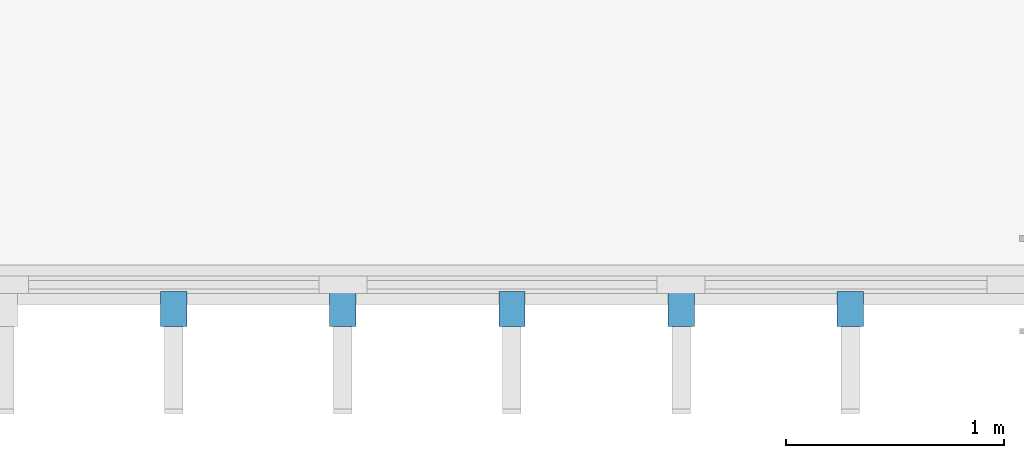
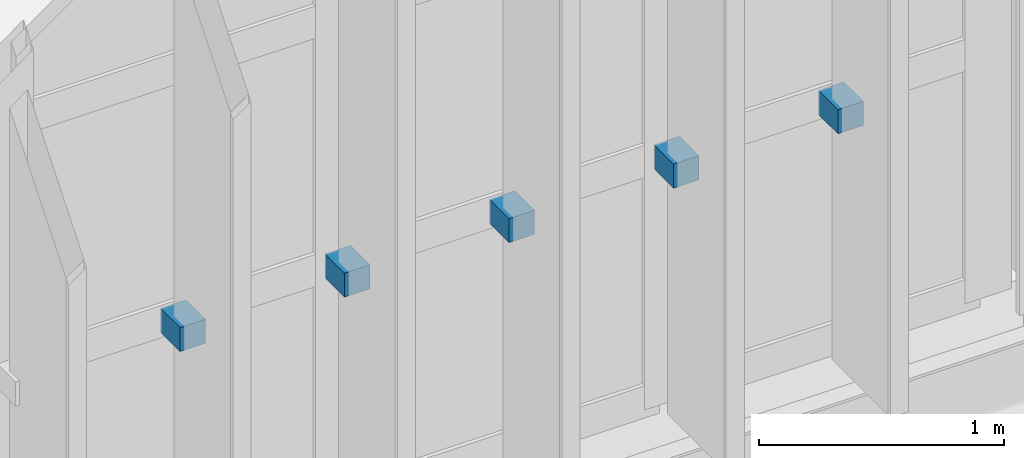
# One storey, part 22 of 38: 5 discrete accessories.
"""IFC4 building model written with IfcOpenShell, lengths in metres."""

from ifc_helpers import new_model, si_unit, direction, frame, origin, origin_2d, place, context, subcontext, project, spatial, rectangle, extrude, material, type_object, element, save


model = new_model("IFC4")

# Units and contexts
model_context = context("Model", 3, precision=1e-05, world=origin(), true_north=direction((0.0, 1.0)))
body_context = subcontext(model_context, "Body", "Model", "MODEL_VIEW")
ifc_project = project(units=[si_unit("LENGTHUNIT", "METRE"), si_unit("AREAUNIT", "SQUARE_METRE"), si_unit("VOLUMEUNIT", "CUBIC_METRE"), si_unit("PLANEANGLEUNIT", "RADIAN"), si_unit("MASSUNIT", "GRAM", prefix="KILO")], contexts=[model_context])

# Site, building, storey
site_placement = place(None, origin())
site = spatial("IfcSite", under=ifc_project, at=site_placement, CompositionType="ELEMENT")
building_placement = place(site_placement, origin())
building = spatial("IfcBuilding", under=site, at=building_placement, Name="Zarnetskaya Central Station", CompositionType="ELEMENT")
storey_placement = place(building_placement, frame((0.0, 0.0, 18.60009765625)))
storey = spatial("IfcBuildingStorey", under=building, at=storey_placement, Name="L04", CompositionType="ELEMENT", Elevation=18.60009765625)

# Discrete accessories
ifc_material = material(Name="Steel S355", Category="steel")
discrete_accessory_type = type_object("IfcDiscreteAccessoryType", Name="ACC-FIN-BRACKET", PredefinedType="BRACKET", material=ifc_material)
for number, where, z_axis, x_axis, name in (
    (1, (47.074951171875, -0.110107421875, 1.177734375), (0.0, 0.0, 1.0), (-1.0, 0.0, 0.0), "Timber fin fixing bracket CW-L04-058-01"),
    (2, (46.300048828125, -0.110107421875, 1.177734375), (0.0, 0.0, 1.0), (-1.0, 0.0, 0.0), "Timber fin fixing bracket CW-L04-058-02"),
    (3, (45.52490234375, -0.110107421875, 1.177734375), (0.0, 0.0, 1.0), (-1.0, 0.0, 0.0), "Timber fin fixing bracket CW-L04-058-03"),
    (4, (44.75, -0.110107421875, 1.177734375), (0.0, 0.0, 1.0), (-1.0, 0.0, 0.0), "Timber fin fixing bracket CW-L04-058-04"),
    (5, (43.97509765625, -0.110107421875, 1.177734375), (0.0, 0.0, 1.0), (-1.0, 0.0, 0.0), "Timber fin fixing bracket CW-L04-058-05"),
):
    element("IfcDiscreteAccessory", number, at=place(storey_placement, frame(where, z_axis=z_axis, x_axis=x_axis)), inside=storey, type_object=discrete_accessory_type, Name=name, PredefinedType="BRACKET", context=body_context, shape_type="SweptSolid", body=[
        extrude(rectangle(XDim=0.1201171875, YDim=0.159912109375, at=origin_2d()), origin(), (0.0, 0.0, 1.0), 0.1201171875),
    ])

save(model, "model.ifc")
